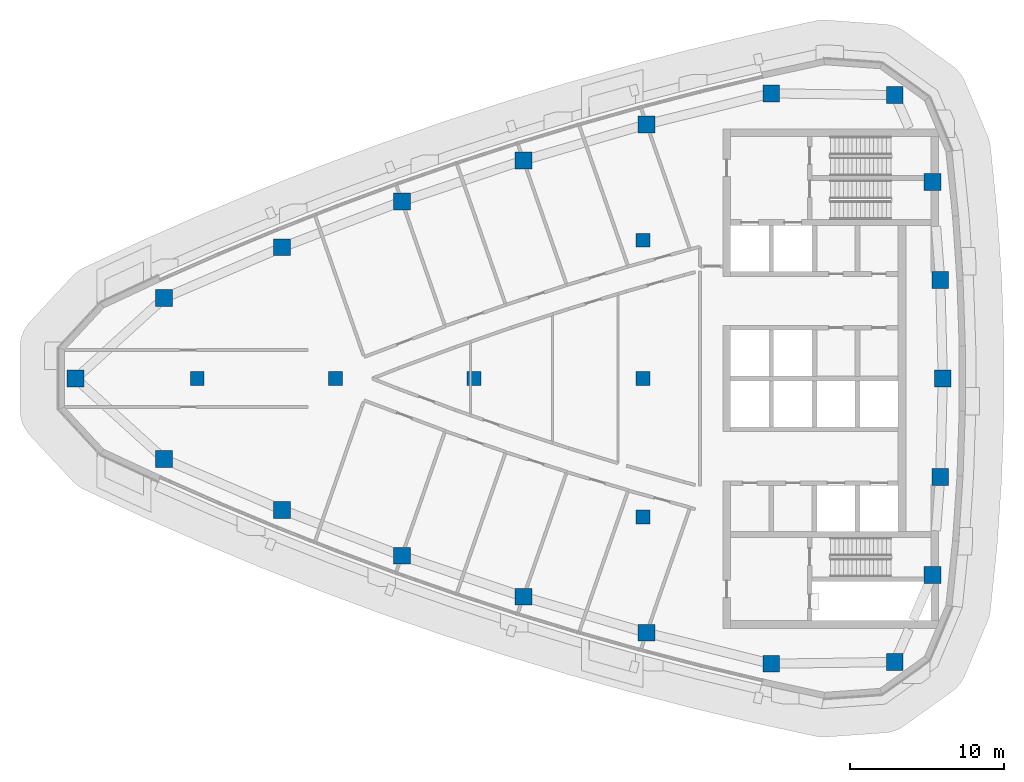
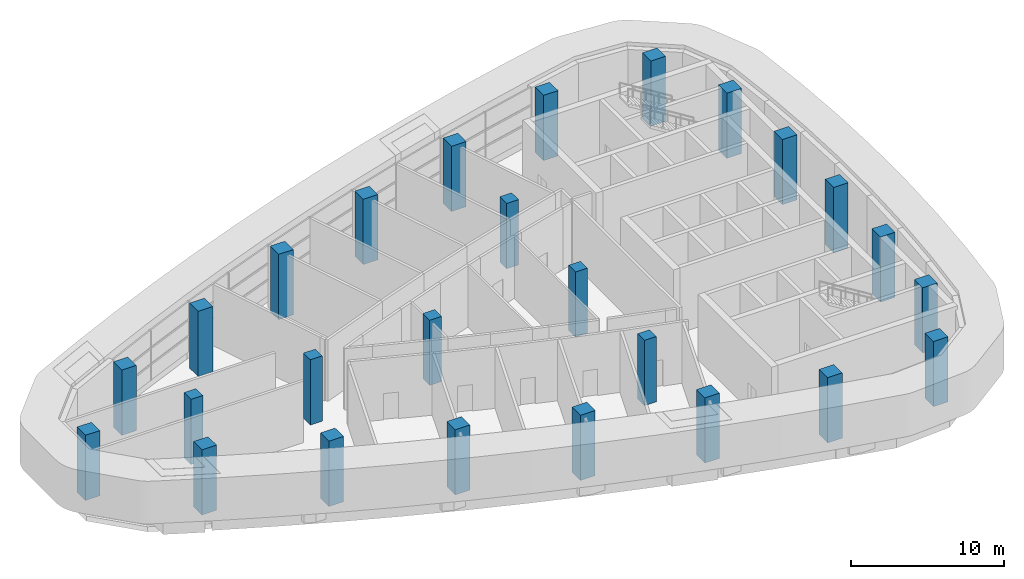
# One storey, part 1 of 14: 26 columns.
"""IFC4 building model written with IfcOpenShell, lengths in metres."""

from ifc_helpers import new_model, si_unit, direction, frame, origin, origin_2d, place, context, subcontext, project, spatial, rectangle, extrude, material, material_profile, profile_set, type_object, element, save


model = new_model("IFC4")

# Units and contexts
model_context = context("Model", 3, precision=1e-05, world=origin(), true_north=direction((0.0, 1.0)))
body_context = subcontext(model_context, "Body", "Model", "MODEL_VIEW")
ifc_project = project(units=[si_unit("LENGTHUNIT", "METRE"), si_unit("AREAUNIT", "SQUARE_METRE"), si_unit("VOLUMEUNIT", "CUBIC_METRE"), si_unit("PLANEANGLEUNIT", "RADIAN"), si_unit("MASSUNIT", "GRAM", prefix="KILO")], contexts=[model_context])

# Site, building, storey
site_placement = place(None, origin())
site = spatial("IfcSite", under=ifc_project, at=site_placement, CompositionType="ELEMENT")
building_placement = place(site_placement, origin())
building = spatial("IfcBuilding", under=site, at=building_placement, Name="Ostrand Prow Hotel Tower", CompositionType="ELEMENT")
storey_placement = place(building_placement, frame((0.0, 0.0, 303.39990234375)))
storey = spatial("IfcBuildingStorey", under=building, at=storey_placement, Name="L77", CompositionType="ELEMENT", Elevation=303.39990234375)

# Columns
ifc_material_1 = material(Name="Concrete C50/60", Category="concrete")
ifc_material_profile_1 = material_profile(ifc_material_1, rectangle(XDim=0.89990234375, YDim=0.89990234375, at=origin_2d()), Name="RC 900x900")
ifc_profile_set_1 = profile_set([ifc_material_profile_1], Name="Concrete C50/60")
column_type_1 = type_object("IfcColumnType", Name="Interior column 900x900 C50/60", PredefinedType="COLUMN", material=ifc_profile_set_1)
for number, where, z_axis, x_axis, name in (
    (1, (16.0, 0.0, 0.0), (0.0, 0.0, 1.0), (1.0, 0.0, 0.0), "Interior column 16C0"),
    (2, (25.0, 0.0, 0.0), (0.0, 0.0, 1.0), (1.0, 0.0, 0.0), "Interior column 25C0"),
    (3, (34.0, 0.0, 0.0), (0.0, 0.0, 1.0), (1.0, 0.0, 0.0), "Interior column 34C0"),
    (4, (45.0, -9.0, 0.0), (0.0, 0.0, 1.0), (1.0, 0.0, 0.0), "Interior column 45S9"),
    (5, (45.0, 0.0, 0.0), (0.0, 0.0, 1.0), (1.0, 0.0, 0.0), "Interior column 45C0"),
    (6, (45.0, 9.0, 0.0), (0.0, 0.0, 1.0), (1.0, 0.0, 0.0), "Interior column 45N9"),
):
    element("IfcColumn", number, at=place(storey_placement, frame(where, z_axis=z_axis, x_axis=x_axis)), inside=storey, type_object=column_type_1, Name=name, PredefinedType="COLUMN", context=body_context, shape_type="SweptSolid", body=[
        extrude(rectangle(XDim=0.89990234375, YDim=0.89990234375, at=origin_2d()), origin(), (0.0, 0.0, 1.0), 5.2001953125),
    ])
ifc_material_2 = material(Name="Concrete C50/60", Category="concrete")
ifc_material_profile_2 = material_profile(ifc_material_2, rectangle(XDim=1.10009765625, YDim=1.10009765625, at=origin_2d()), Name="RC 1100x1100")
ifc_profile_set_2 = profile_set([ifc_material_profile_2], Name="Concrete C50/60")
column_type_2 = type_object("IfcColumnType", Name="Stone-faced mega column 1100x1100 C50/60", PredefinedType="COLUMN", material=ifc_profile_set_2)
for number, where, z_axis, x_axis, name in (
    (7, (8.082763671875, 0.0, 0.0), (0.0, 0.0, 1.0), (1.0, 0.0, 0.0), "Mega column P"),
    (8, (13.846435546875, -5.23681640625, 0.0), (0.0, 0.0, 1.0), (1.0, 0.0, 0.0), "Mega column S1"),
    (9, (21.51416015625, -8.5400390625, 0.0), (0.0, 0.0, 1.0), (1.0, 0.0, 0.0), "Mega column S2"),
    (10, (29.31005859375, -11.528076171875, 0.0), (0.0, 0.0, 1.0), (1.0, 0.0, 0.0), "Mega column S3"),
    (11, (37.22119140625, -14.19580078125, 0.0), (0.0, 0.0, 1.0), (1.0, 0.0, 0.0), "Mega column S4"),
    (12, (45.234619140625, -16.53857421875, 0.0), (0.0, 0.0, 1.0), (1.0, 0.0, 0.0), "Mega column S5"),
    (13, (53.3369140625, -18.552978515625, 0.0), (0.0, 0.0, 1.0), (1.0, 0.0, 0.0), "Mega column S6"),
    (14, (61.374267578125, -18.439697265625, 0.0), (0.0, 0.0, 1.0), (1.0, 0.0, 0.0), "Mega column SE"),
    (15, (63.831787109375, -12.7890625, 0.0), (0.0, 0.0, 1.0), (1.0, 0.0, 0.0), "Mega column B1"),
    (16, (64.332763671875, -6.4033203125, 0.0), (0.0, 0.0, 1.0), (1.0, 0.0, 0.0), "Mega column B2"),
    (17, (64.5, 0.0, 0.0), (0.0, 0.0, 1.0), (1.0, 0.0, 0.0), "Mega column B3"),
    (18, (64.332763671875, 6.4033203125, 0.0), (0.0, 0.0, 1.0), (1.0, 0.0, 0.0), "Mega column B4"),
    (19, (63.831787109375, 12.7890625, 0.0), (0.0, 0.0, 1.0), (1.0, 0.0, 0.0), "Mega column B5"),
    (20, (61.374267578125, 18.439697265625, 0.0), (0.0, 0.0, 1.0), (1.0, 0.0, 0.0), "Mega column NE"),
    (21, (53.3369140625, 18.552978515625, 0.0), (0.0, 0.0, 1.0), (1.0, 0.0, 0.0), "Mega column N1"),
    (22, (45.234619140625, 16.53857421875, 0.0), (0.0, 0.0, 1.0), (1.0, 0.0, 0.0), "Mega column N2"),
    (23, (37.22119140625, 14.19580078125, 0.0), (0.0, 0.0, 1.0), (1.0, 0.0, 0.0), "Mega column N3"),
    (24, (29.31005859375, 11.528076171875, 0.0), (0.0, 0.0, 1.0), (1.0, 0.0, 0.0), "Mega column N4"),
    (25, (21.51416015625, 8.5400390625, 0.0), (0.0, 0.0, 1.0), (1.0, 0.0, 0.0), "Mega column N5"),
    (26, (13.846435546875, 5.23681640625, 0.0), (0.0, 0.0, 1.0), (1.0, 0.0, 0.0), "Mega column N6"),
):
    element("IfcColumn", number, at=place(storey_placement, frame(where, z_axis=z_axis, x_axis=x_axis)), inside=storey, type_object=column_type_2, Name=name, PredefinedType="COLUMN", context=body_context, shape_type="SweptSolid", body=[
        extrude(rectangle(XDim=1.10009765625, YDim=1.10009765625, at=origin_2d()), origin(), (0.0, 0.0, 1.0), 5.2001953125),
    ])

save(model, "model.ifc")
